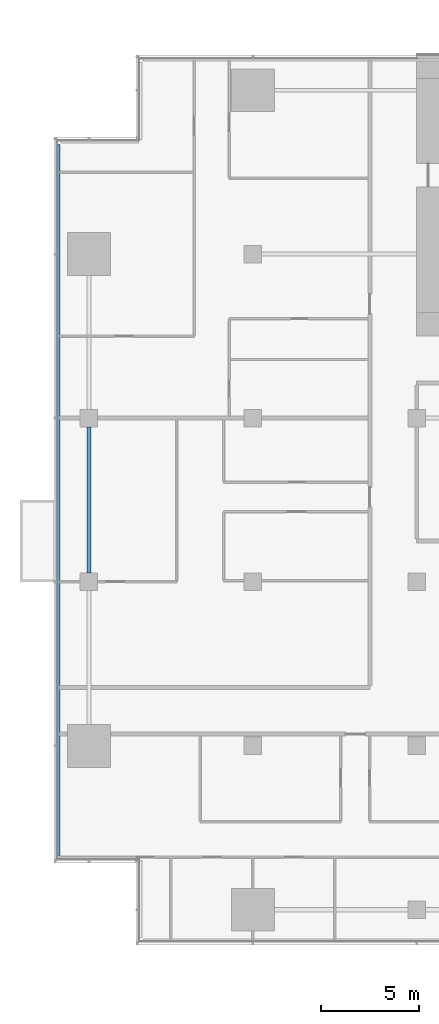
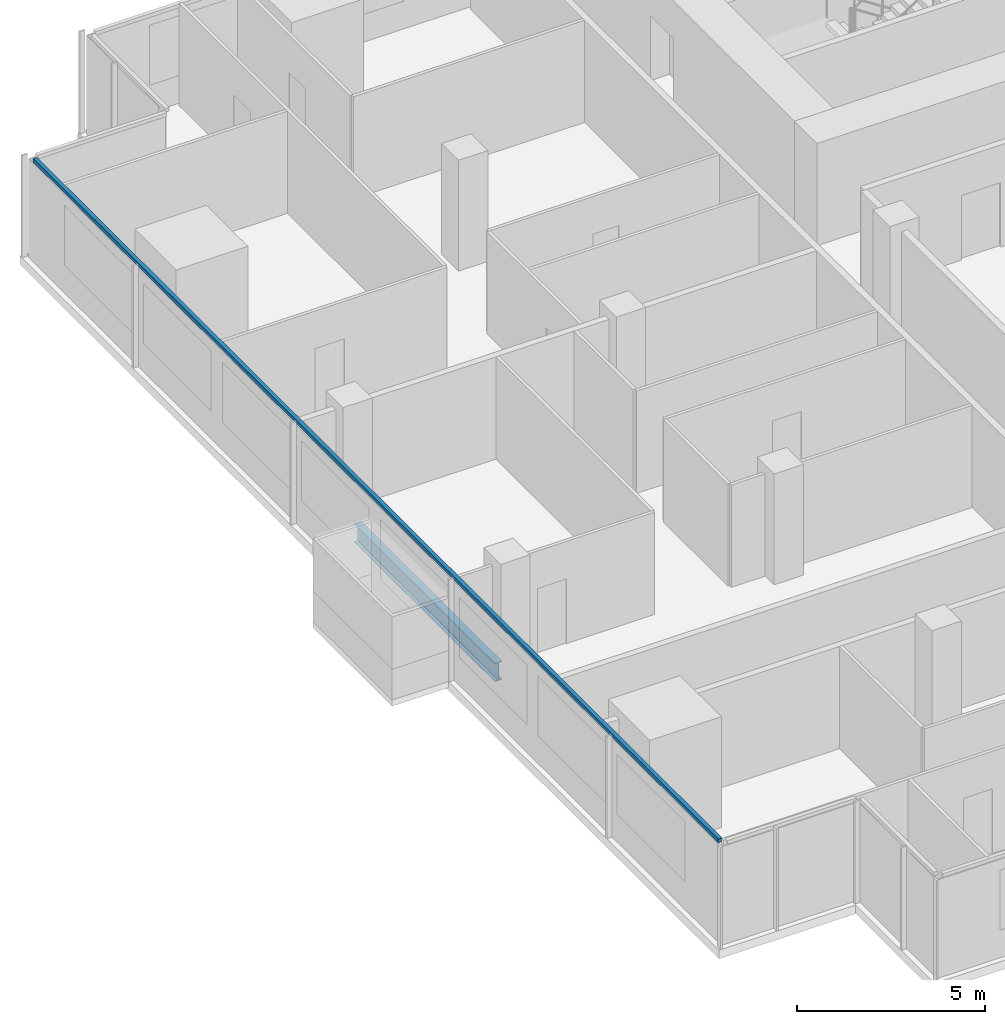
# One storey, part 3 of 26: 1 beam, 1 member, 1 element without a shape of its own.
"""IFC4 building model written with IfcOpenShell, lengths in metres."""

from ifc_helpers import new_model, si_unit, direction, frame, origin, origin_2d, place, context, subcontext, project, spatial, rectangle, i_section, extrude, material, material_profile, profile_set, type_object, element, aggregate, save


model = new_model("IFC4")

# Units and contexts
model_context = context("Model", 3, precision=1e-05, world=origin(), true_north=direction((0.0, 1.0)))
body_context = subcontext(model_context, "Body", "Model", "MODEL_VIEW")
ifc_project = project(units=[si_unit("LENGTHUNIT", "METRE"), si_unit("AREAUNIT", "SQUARE_METRE"), si_unit("VOLUMEUNIT", "CUBIC_METRE"), si_unit("PLANEANGLEUNIT", "RADIAN"), si_unit("MASSUNIT", "GRAM", prefix="KILO")], contexts=[model_context])

# Site, building, storey
site_placement = place(None, origin())
site = spatial("IfcSite", under=ifc_project, at=site_placement, CompositionType="ELEMENT")
building_placement = place(site_placement, origin())
building = spatial("IfcBuilding", under=site, at=building_placement, Name="Saffron Gate Tower", CompositionType="ELEMENT")
storey_placement = place(building_placement, frame((0.0, 0.0, 62.39990234375)))
storey = spatial("IfcBuildingStorey", under=building, at=storey_placement, Name="L14", CompositionType="ELEMENT", Elevation=62.39990234375)

# Beam
ifc_material_1 = material(Name="Structural steel S355", Category="steel")
ifc_material_profile_1 = material_profile(ifc_material_1, i_section(OverallWidth=0.219970703125, OverallDepth=0.60009765625, WebThickness=0.011962890625, FlangeThickness=0.01904296875, FilletRadius=0.02392578125, at=origin_2d()))
ifc_profile_set_1 = profile_set([ifc_material_profile_1], Name="Structural steel S355")
beam_type = type_object("IfcBeamType", Name="B16 IPE 600", PredefinedType="SPANDREL", material=ifc_profile_set_1)
beam_placement = place(storey_placement, frame((49.800048828125, 49.050048828125, -0.579833984375), z_axis=(0.0, 1.0, 0.0), x_axis=(-1.0, 0.0, 0.0)))
element("IfcBeam", 1, at=beam_placement, inside=storey, type_object=beam_type, Name="B16 SPANDREL BEAM", PredefinedType="SPANDREL", context=body_context, shape_type="SweptSolid", body=[
    extrude(i_section(OverallWidth=0.219970703125, OverallDepth=0.60009765625, WebThickness=0.011962890625, FlangeThickness=0.01904296875, FilletRadius=0.02392578125, at=origin_2d()), origin(), (0.0, 0.0, 1.0), 7.5),
])

# Curtain wall, member
ifc_material_2 = material(Name="Aluminium, bronze anodised", Category="aluminium")
curtain_wall_type = type_object("IfcCurtainWallType", Name="CWS2 curtain wall side facades", PredefinedType="NOTDEFINED", material=ifc_material_2)
curtain_wall_placement = place(storey_placement, origin())
curtain_wall = element("IfcCurtainWall", 2, at=curtain_wall_placement, inside=storey, type_object=curtain_wall_type, Name="CWS2 run 10", PredefinedType="NOTDEFINED")
ifc_material_profile_2 = material_profile(ifc_material_2, rectangle(XDim=0.1201171875, YDim=0.1201171875, at=origin_2d()))
ifc_profile_set_2 = profile_set([ifc_material_profile_2], Name="Aluminium, bronze anodised")
member_type = type_object("IfcMemberType", Name="CWS2 head transom", PredefinedType="USERDEFINED", material=ifc_profile_set_2)
member_placement = place(storey_placement, frame((48.248046875, 71.031982421875, 3.260009765625), z_axis=(0.0, -1.0, 0.0), x_axis=(1.0, 0.0, 0.0)))
member = element("IfcMember", 3, at=member_placement, type_object=member_type, Name="CWS2 head transom", ObjectType="TRANSOM", PredefinedType="USERDEFINED", context=body_context, shape_type="SweptSolid", body=[
    extrude(rectangle(XDim=0.1201171875, YDim=0.1201171875, at=origin_2d()), origin(), (0.0, 0.0, 1.0), 36.4638671875),
])
aggregate(curtain_wall, [member])

save(model, "model.ifc")
